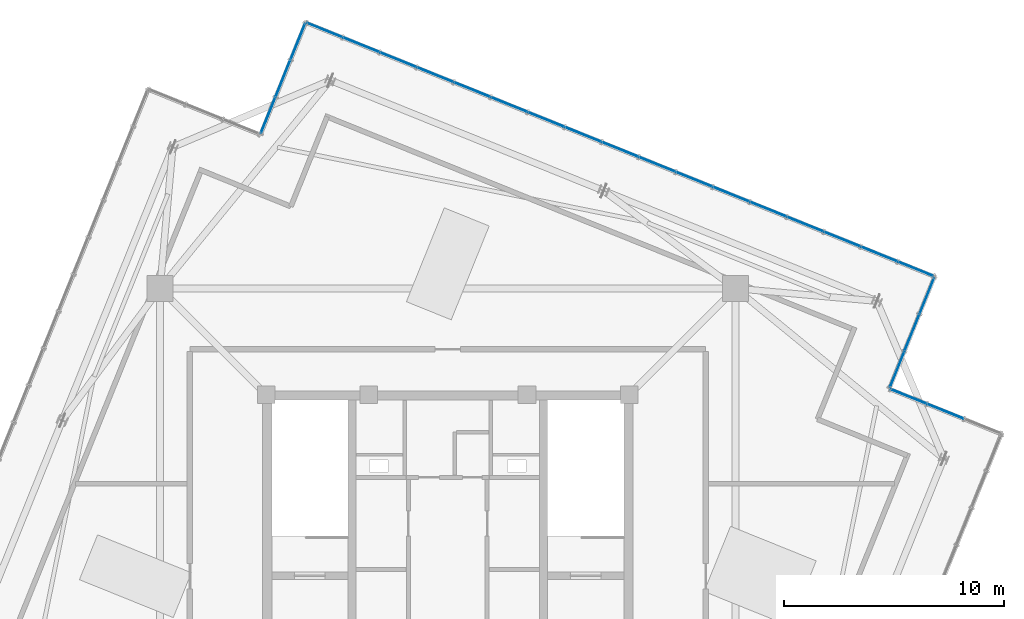
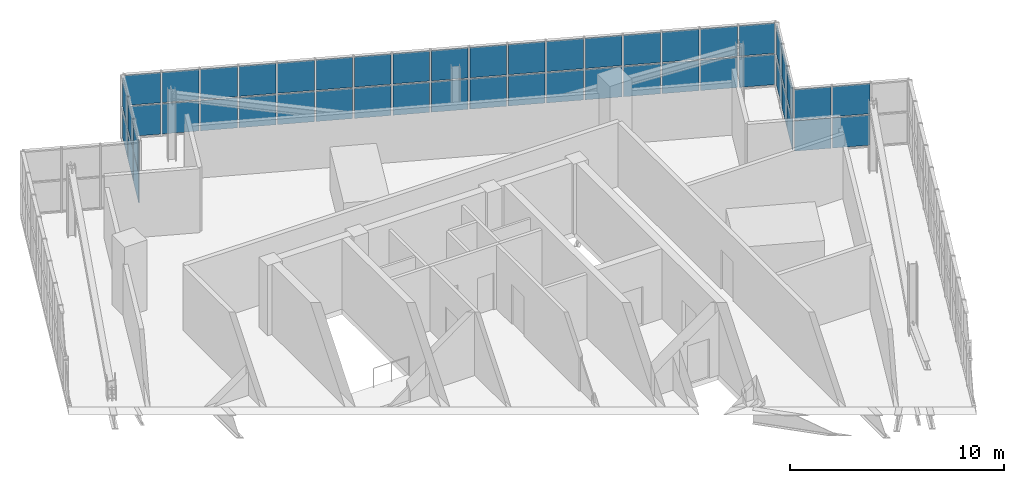
# One storey, part 20 of 26: 50 plates, 4 elements without a shape of their own.
"""IFC4 building model written with IfcOpenShell, lengths in metres."""

from ifc_helpers import new_model, si_unit, direction, frame, origin, origin_2d, place, context, subcontext, project, spatial, rectangle, extrude, source, transform, mapped, material, layer, layer_set, type_object, element, aggregate, save


model = new_model("IFC4")

# Units and contexts
model_context = context("Model", 3, precision=1e-05, world=origin(), true_north=direction((0.0, 1.0)))
body_context = subcontext(model_context, "Body", "Model", "MODEL_VIEW")
ifc_project = project(units=[si_unit("LENGTHUNIT", "METRE"), si_unit("AREAUNIT", "SQUARE_METRE"), si_unit("VOLUMEUNIT", "CUBIC_METRE"), si_unit("PLANEANGLEUNIT", "RADIAN"), si_unit("MASSUNIT", "GRAM", prefix="KILO"), si_unit("THERMODYNAMICTEMPERATUREUNIT", "KELVIN")], contexts=[model_context])

# Site, building, storey
site_placement = place(None, origin())
site = spatial("IfcSite", under=ifc_project, at=site_placement, CompositionType="ELEMENT")
building_placement = place(site_placement, origin())
building = spatial("IfcBuilding", under=site, at=building_placement, Name="Kosmvard Interchange Tower", CompositionType="ELEMENT")
storey_placement = place(building_placement, frame((0.0, 0.0, 341.60009765625)))
storey = spatial("IfcBuildingStorey", under=building, at=storey_placement, Name="L84", CompositionType="ELEMENT", Elevation=341.60009765625)

# Curtain wall, plates
ifc_material_1 = material(Name="Architectural anodised aluminium", Category="aluminium")
ifc_layer_1 = layer(ifc_material_1, 0.25, Name="Architectural anodised aluminium")
ifc_layer_set_1 = layer_set([ifc_layer_1], Name="Architectural anodised aluminium")
curtain_wall_type = type_object("IfcCurtainWallType", Name="CW-6 Illuminated Crown Lantern Curtain Wall", PredefinedType="NOTDEFINED", material=ifc_layer_set_1)
curtain_wall_1_placement = place(storey_placement, origin())
curtain_wall_1 = element("IfcCurtainWall", 1, at=curtain_wall_1_placement, inside=storey, type_object=curtain_wall_type, Name="L84 Crown Lantern Glazing Face 04", PredefinedType="NOTDEFINED")
ifc_material_2 = material(Name="Laminated acoustic lantern glazing", Category="glass")
ifc_layer_2 = layer(ifc_material_2, 0.035888671875, Name="Laminated acoustic lantern glazing")
ifc_layer_set_2 = layer_set([ifc_layer_2], Name="Laminated acoustic lantern glazing")
plate_type = type_object("IfcPlateType", Name="Lantern Diffused Illuminated Panel 36", PredefinedType="CURTAIN_PANEL", material=ifc_layer_set_2)
shared_shape_1 = source(origin(), body_context, "Body", "SweptSolid", [
    extrude(rectangle(XDim=1.694091796875, YDim=0.035888671875, at=origin_2d()), origin(), (0.0, 0.0, 1.0), 1.719970703125),
])
plate_1_placement = place(storey_placement, frame((21.2744140625, 13.967529296875, 0.06982421875), z_axis=(0.0, 0.0, 1.0), x_axis=(-0.927183858065, 0.374606584758, 0.0)))
plate_1 = element("IfcPlate", 2, at=plate_1_placement, type_object=plate_type, Name="CW-6 panel 1.1", PredefinedType="CURTAIN_PANEL", context=body_context, shape_type="MappedRepresentation", body=[
    mapped(shared_shape_1, transform((0.0, 0.0, 0.0), scale=1.0)),
])
plate_2_placement = place(storey_placement, frame((21.2744140625, 13.967529296875, 1.85986328125), z_axis=(0.0, 0.0, 1.0), x_axis=(-0.927183858065, 0.374606584758, 0.0)))
plate_2 = element("IfcPlate", 3, at=plate_2_placement, type_object=plate_type, Name="CW-6 panel 1.2", PredefinedType="CURTAIN_PANEL", context=body_context, shape_type="MappedRepresentation", body=[
    mapped(shared_shape_1, transform((0.0, 0.0, 0.0), scale=1.0)),
])
plate_3_placement = place(storey_placement, frame((-5.600830078125, 24.825927734375, 0.06982421875), z_axis=(0.0, 0.0, 1.0), x_axis=(-0.927183858065, 0.374606584758, 0.0)))
plate_3 = element("IfcPlate", 4, at=plate_3_placement, type_object=plate_type, Name="CW-6 panel 17.1", PredefinedType="CURTAIN_PANEL", context=body_context, shape_type="MappedRepresentation", body=[
    mapped(shared_shape_1, transform((0.0, 0.0, 0.0), scale=1.0)),
])
plate_4_placement = place(storey_placement, frame((-5.600830078125, 24.825927734375, 1.85986328125), z_axis=(0.0, 0.0, 1.0), x_axis=(-0.927183858065, 0.374606584758, 0.0)))
plate_4 = element("IfcPlate", 5, at=plate_4_placement, type_object=plate_type, Name="CW-6 panel 17.2", PredefinedType="CURTAIN_PANEL", context=body_context, shape_type="MappedRepresentation", body=[
    mapped(shared_shape_1, transform((0.0, 0.0, 0.0), scale=1.0)),
])
shared_shape_2 = source(origin(), body_context, "Body", "SweptSolid", [
    extrude(rectangle(XDim=1.734130859375, YDim=0.035888671875, at=origin_2d()), origin(), (0.0, 0.0, 1.0), 1.719970703125),
])
plate_5_placement = place(storey_placement, frame((19.61083984375, 14.6396484375, 0.06982421875), z_axis=(0.0, 0.0, 1.0), x_axis=(-0.927183858065, 0.374606584758, 0.0)))
plate_5 = element("IfcPlate", 6, at=plate_5_placement, type_object=plate_type, Name="CW-6 panel 2.1", PredefinedType="CURTAIN_PANEL", context=body_context, shape_type="MappedRepresentation", body=[
    mapped(shared_shape_2, transform((0.0, 0.0, 0.0), scale=1.0)),
])
plate_6_placement = place(storey_placement, frame((19.61083984375, 14.6396484375, 1.85986328125), z_axis=(0.0, 0.0, 1.0), x_axis=(-0.927183858065, 0.374606584758, 0.0)))
plate_6 = element("IfcPlate", 7, at=plate_6_placement, type_object=plate_type, Name="CW-6 panel 2.2", PredefinedType="CURTAIN_PANEL", context=body_context, shape_type="MappedRepresentation", body=[
    mapped(shared_shape_2, transform((0.0, 0.0, 0.0), scale=1.0)),
])
plate_7_placement = place(storey_placement, frame((17.928955078125, 15.319091796875, 0.06982421875), z_axis=(0.0, 0.0, 1.0), x_axis=(-0.927183858065, 0.374606584758, 0.0)))
plate_7 = element("IfcPlate", 8, at=plate_7_placement, type_object=plate_type, Name="CW-6 panel 3.1", PredefinedType="CURTAIN_PANEL", context=body_context, shape_type="MappedRepresentation", body=[
    mapped(shared_shape_2, transform((0.0, 0.0, 0.0), scale=1.0)),
])
plate_8_placement = place(storey_placement, frame((17.928955078125, 15.319091796875, 1.85986328125), z_axis=(0.0, 0.0, 1.0), x_axis=(-0.927183858065, 0.374606584758, 0.0)))
plate_8 = element("IfcPlate", 9, at=plate_8_placement, type_object=plate_type, Name="CW-6 panel 3.2", PredefinedType="CURTAIN_PANEL", context=body_context, shape_type="MappedRepresentation", body=[
    mapped(shared_shape_2, transform((0.0, 0.0, 0.0), scale=1.0)),
])
plate_9_placement = place(storey_placement, frame((16.246826171875, 15.998779296875, 0.06982421875), z_axis=(0.0, 0.0, 1.0), x_axis=(-0.927183858065, 0.374606584758, 0.0)))
plate_9 = element("IfcPlate", 10, at=plate_9_placement, type_object=plate_type, Name="CW-6 panel 4.1", PredefinedType="CURTAIN_PANEL", context=body_context, shape_type="MappedRepresentation", body=[
    mapped(shared_shape_2, transform((0.0, 0.0, 0.0), scale=1.0)),
])
plate_10_placement = place(storey_placement, frame((16.246826171875, 15.998779296875, 1.85986328125), z_axis=(0.0, 0.0, 1.0), x_axis=(-0.927183858065, 0.374606584758, 0.0)))
plate_10 = element("IfcPlate", 11, at=plate_10_placement, type_object=plate_type, Name="CW-6 panel 4.2", PredefinedType="CURTAIN_PANEL", context=body_context, shape_type="MappedRepresentation", body=[
    mapped(shared_shape_2, transform((0.0, 0.0, 0.0), scale=1.0)),
])
plate_11_placement = place(storey_placement, frame((14.56494140625, 16.678466796875, 0.06982421875), z_axis=(0.0, 0.0, 1.0), x_axis=(-0.927183858065, 0.374606584758, 0.0)))
plate_11 = element("IfcPlate", 12, at=plate_11_placement, type_object=plate_type, Name="CW-6 panel 5.1", PredefinedType="CURTAIN_PANEL", context=body_context, shape_type="MappedRepresentation", body=[
    mapped(shared_shape_2, transform((0.0, 0.0, 0.0), scale=1.0)),
])
plate_12_placement = place(storey_placement, frame((14.56494140625, 16.678466796875, 1.85986328125), z_axis=(0.0, 0.0, 1.0), x_axis=(-0.927183858065, 0.374606584758, 0.0)))
plate_12 = element("IfcPlate", 13, at=plate_12_placement, type_object=plate_type, Name="CW-6 panel 5.2", PredefinedType="CURTAIN_PANEL", context=body_context, shape_type="MappedRepresentation", body=[
    mapped(shared_shape_2, transform((0.0, 0.0, 0.0), scale=1.0)),
])
plate_13_placement = place(storey_placement, frame((12.8828125, 17.35791015625, 0.06982421875), z_axis=(0.0, 0.0, 1.0), x_axis=(-0.927183858065, 0.374606584758, 0.0)))
plate_13 = element("IfcPlate", 14, at=plate_13_placement, type_object=plate_type, Name="CW-6 panel 6.1", PredefinedType="CURTAIN_PANEL", context=body_context, shape_type="MappedRepresentation", body=[
    mapped(shared_shape_2, transform((0.0, 0.0, 0.0), scale=1.0)),
])
plate_14_placement = place(storey_placement, frame((12.8828125, 17.35791015625, 1.85986328125), z_axis=(0.0, 0.0, 1.0), x_axis=(-0.927183858065, 0.374606584758, 0.0)))
plate_14 = element("IfcPlate", 15, at=plate_14_placement, type_object=plate_type, Name="CW-6 panel 6.2", PredefinedType="CURTAIN_PANEL", context=body_context, shape_type="MappedRepresentation", body=[
    mapped(shared_shape_2, transform((0.0, 0.0, 0.0), scale=1.0)),
])
plate_15_placement = place(storey_placement, frame((11.200927734375, 18.03759765625, 0.06982421875), z_axis=(0.0, 0.0, 1.0), x_axis=(-0.927183858065, 0.374606584758, 0.0)))
plate_15 = element("IfcPlate", 16, at=plate_15_placement, type_object=plate_type, Name="CW-6 panel 7.1", PredefinedType="CURTAIN_PANEL", context=body_context, shape_type="MappedRepresentation", body=[
    mapped(shared_shape_2, transform((0.0, 0.0, 0.0), scale=1.0)),
])
plate_16_placement = place(storey_placement, frame((11.200927734375, 18.03759765625, 1.85986328125), z_axis=(0.0, 0.0, 1.0), x_axis=(-0.927183858065, 0.374606584758, 0.0)))
plate_16 = element("IfcPlate", 17, at=plate_16_placement, type_object=plate_type, Name="CW-6 panel 7.2", PredefinedType="CURTAIN_PANEL", context=body_context, shape_type="MappedRepresentation", body=[
    mapped(shared_shape_2, transform((0.0, 0.0, 0.0), scale=1.0)),
])
plate_17_placement = place(storey_placement, frame((9.518798828125, 18.717041015625, 0.06982421875), z_axis=(0.0, 0.0, 1.0), x_axis=(-0.927183858065, 0.374606584758, 0.0)))
plate_17 = element("IfcPlate", 18, at=plate_17_placement, type_object=plate_type, Name="CW-6 panel 8.1", PredefinedType="CURTAIN_PANEL", context=body_context, shape_type="MappedRepresentation", body=[
    mapped(shared_shape_2, transform((0.0, 0.0, 0.0), scale=1.0)),
])
plate_18_placement = place(storey_placement, frame((9.518798828125, 18.717041015625, 1.85986328125), z_axis=(0.0, 0.0, 1.0), x_axis=(-0.927183858065, 0.374606584758, 0.0)))
plate_18 = element("IfcPlate", 19, at=plate_18_placement, type_object=plate_type, Name="CW-6 panel 8.2", PredefinedType="CURTAIN_PANEL", context=body_context, shape_type="MappedRepresentation", body=[
    mapped(shared_shape_2, transform((0.0, 0.0, 0.0), scale=1.0)),
])
plate_19_placement = place(storey_placement, frame((7.836669921875, 19.396728515625, 0.06982421875), z_axis=(0.0, 0.0, 1.0), x_axis=(-0.927183858065, 0.374606584758, 0.0)))
plate_19 = element("IfcPlate", 20, at=plate_19_placement, type_object=plate_type, Name="CW-6 panel 9.1", PredefinedType="CURTAIN_PANEL", context=body_context, shape_type="MappedRepresentation", body=[
    mapped(shared_shape_2, transform((0.0, 0.0, 0.0), scale=1.0)),
])
plate_20_placement = place(storey_placement, frame((7.836669921875, 19.396728515625, 1.85986328125), z_axis=(0.0, 0.0, 1.0), x_axis=(-0.927183858065, 0.374606584758, 0.0)))
plate_20 = element("IfcPlate", 21, at=plate_20_placement, type_object=plate_type, Name="CW-6 panel 9.2", PredefinedType="CURTAIN_PANEL", context=body_context, shape_type="MappedRepresentation", body=[
    mapped(shared_shape_2, transform((0.0, 0.0, 0.0), scale=1.0)),
])
plate_21_placement = place(storey_placement, frame((6.15478515625, 20.076171875, 0.06982421875), z_axis=(0.0, 0.0, 1.0), x_axis=(-0.927183858065, 0.374606584758, 0.0)))
plate_21 = element("IfcPlate", 22, at=plate_21_placement, type_object=plate_type, Name="CW-6 panel 10.1", PredefinedType="CURTAIN_PANEL", context=body_context, shape_type="MappedRepresentation", body=[
    mapped(shared_shape_2, transform((0.0, 0.0, 0.0), scale=1.0)),
])
plate_22_placement = place(storey_placement, frame((6.15478515625, 20.076171875, 1.85986328125), z_axis=(0.0, 0.0, 1.0), x_axis=(-0.927183858065, 0.374606584758, 0.0)))
plate_22 = element("IfcPlate", 23, at=plate_22_placement, type_object=plate_type, Name="CW-6 panel 10.2", PredefinedType="CURTAIN_PANEL", context=body_context, shape_type="MappedRepresentation", body=[
    mapped(shared_shape_2, transform((0.0, 0.0, 0.0), scale=1.0)),
])
plate_23_placement = place(storey_placement, frame((4.47265625, 20.755859375, 0.06982421875), z_axis=(0.0, 0.0, 1.0), x_axis=(-0.927183858065, 0.374606584758, 0.0)))
plate_23 = element("IfcPlate", 24, at=plate_23_placement, type_object=plate_type, Name="CW-6 panel 11.1", PredefinedType="CURTAIN_PANEL", context=body_context, shape_type="MappedRepresentation", body=[
    mapped(shared_shape_2, transform((0.0, 0.0, 0.0), scale=1.0)),
])
plate_24_placement = place(storey_placement, frame((4.47265625, 20.755859375, 1.85986328125), z_axis=(0.0, 0.0, 1.0), x_axis=(-0.927183858065, 0.374606584758, 0.0)))
plate_24 = element("IfcPlate", 25, at=plate_24_placement, type_object=plate_type, Name="CW-6 panel 11.2", PredefinedType="CURTAIN_PANEL", context=body_context, shape_type="MappedRepresentation", body=[
    mapped(shared_shape_2, transform((0.0, 0.0, 0.0), scale=1.0)),
])
plate_25_placement = place(storey_placement, frame((2.790771484375, 21.435546875, 0.06982421875), z_axis=(0.0, 0.0, 1.0), x_axis=(-0.927183858065, 0.374606584758, 0.0)))
plate_25 = element("IfcPlate", 26, at=plate_25_placement, type_object=plate_type, Name="CW-6 panel 12.1", PredefinedType="CURTAIN_PANEL", context=body_context, shape_type="MappedRepresentation", body=[
    mapped(shared_shape_2, transform((0.0, 0.0, 0.0), scale=1.0)),
])
plate_26_placement = place(storey_placement, frame((2.790771484375, 21.435546875, 1.85986328125), z_axis=(0.0, 0.0, 1.0), x_axis=(-0.927183858065, 0.374606584758, 0.0)))
plate_26 = element("IfcPlate", 27, at=plate_26_placement, type_object=plate_type, Name="CW-6 panel 12.2", PredefinedType="CURTAIN_PANEL", context=body_context, shape_type="MappedRepresentation", body=[
    mapped(shared_shape_2, transform((0.0, 0.0, 0.0), scale=1.0)),
])
plate_27_placement = place(storey_placement, frame((1.108642578125, 22.114990234375, 0.06982421875), z_axis=(0.0, 0.0, 1.0), x_axis=(-0.927183858065, 0.374606584758, 0.0)))
plate_27 = element("IfcPlate", 28, at=plate_27_placement, type_object=plate_type, Name="CW-6 panel 13.1", PredefinedType="CURTAIN_PANEL", context=body_context, shape_type="MappedRepresentation", body=[
    mapped(shared_shape_2, transform((0.0, 0.0, 0.0), scale=1.0)),
])
plate_28_placement = place(storey_placement, frame((1.108642578125, 22.114990234375, 1.85986328125), z_axis=(0.0, 0.0, 1.0), x_axis=(-0.927183858065, 0.374606584758, 0.0)))
plate_28 = element("IfcPlate", 29, at=plate_28_placement, type_object=plate_type, Name="CW-6 panel 13.2", PredefinedType="CURTAIN_PANEL", context=body_context, shape_type="MappedRepresentation", body=[
    mapped(shared_shape_2, transform((0.0, 0.0, 0.0), scale=1.0)),
])
plate_29_placement = place(storey_placement, frame((-0.5732421875, 22.794677734375, 0.06982421875), z_axis=(0.0, 0.0, 1.0), x_axis=(-0.927183858065, 0.374606584758, 0.0)))
plate_29 = element("IfcPlate", 30, at=plate_29_placement, type_object=plate_type, Name="CW-6 panel 14.1", PredefinedType="CURTAIN_PANEL", context=body_context, shape_type="MappedRepresentation", body=[
    mapped(shared_shape_2, transform((0.0, 0.0, 0.0), scale=1.0)),
])
plate_30_placement = place(storey_placement, frame((-0.5732421875, 22.794677734375, 1.85986328125), z_axis=(0.0, 0.0, 1.0), x_axis=(-0.927183858065, 0.374606584758, 0.0)))
plate_30 = element("IfcPlate", 31, at=plate_30_placement, type_object=plate_type, Name="CW-6 panel 14.2", PredefinedType="CURTAIN_PANEL", context=body_context, shape_type="MappedRepresentation", body=[
    mapped(shared_shape_2, transform((0.0, 0.0, 0.0), scale=1.0)),
])
plate_31_placement = place(storey_placement, frame((-2.25537109375, 23.47412109375, 0.06982421875), z_axis=(0.0, 0.0, 1.0), x_axis=(-0.927183858065, 0.374606584758, 0.0)))
plate_31 = element("IfcPlate", 32, at=plate_31_placement, type_object=plate_type, Name="CW-6 panel 15.1", PredefinedType="CURTAIN_PANEL", context=body_context, shape_type="MappedRepresentation", body=[
    mapped(shared_shape_2, transform((0.0, 0.0, 0.0), scale=1.0)),
])
plate_32_placement = place(storey_placement, frame((-2.25537109375, 23.47412109375, 1.85986328125), z_axis=(0.0, 0.0, 1.0), x_axis=(-0.927183858065, 0.374606584758, 0.0)))
plate_32 = element("IfcPlate", 33, at=plate_32_placement, type_object=plate_type, Name="CW-6 panel 15.2", PredefinedType="CURTAIN_PANEL", context=body_context, shape_type="MappedRepresentation", body=[
    mapped(shared_shape_2, transform((0.0, 0.0, 0.0), scale=1.0)),
])
plate_33_placement = place(storey_placement, frame((-3.937255859375, 24.15380859375, 0.06982421875), z_axis=(0.0, 0.0, 1.0), x_axis=(-0.927183858065, 0.374606584758, 0.0)))
plate_33 = element("IfcPlate", 34, at=plate_33_placement, type_object=plate_type, Name="CW-6 panel 16.1", PredefinedType="CURTAIN_PANEL", context=body_context, shape_type="MappedRepresentation", body=[
    mapped(shared_shape_2, transform((0.0, 0.0, 0.0), scale=1.0)),
])
plate_34_placement = place(storey_placement, frame((-3.937255859375, 24.15380859375, 1.85986328125), z_axis=(0.0, 0.0, 1.0), x_axis=(-0.927183858065, 0.374606584758, 0.0)))
plate_34 = element("IfcPlate", 35, at=plate_34_placement, type_object=plate_type, Name="CW-6 panel 16.2", PredefinedType="CURTAIN_PANEL", context=body_context, shape_type="MappedRepresentation", body=[
    mapped(shared_shape_2, transform((0.0, 0.0, 0.0), scale=1.0)),
])
aggregate(curtain_wall_1, [plate_1, plate_2, plate_5, plate_6, plate_7, plate_8, plate_9, plate_10, plate_11, plate_12, plate_13, plate_14, plate_15, plate_16, plate_17, plate_18, plate_19, plate_20, plate_21, plate_22, plate_23, plate_24, plate_25, plate_26, plate_27, plate_28, plate_29, plate_30, plate_31, plate_32, plate_33, plate_34, plate_3, plate_4])

curtain_wall_2_placement = place(storey_placement, origin())
curtain_wall_2 = element("IfcCurtainWall", 36, at=curtain_wall_2_placement, inside=storey, type_object=curtain_wall_type, Name="L84 Crown Lantern Glazing Face 02", PredefinedType="NOTDEFINED")
shared_shape_3 = source(origin(), body_context, "Body", "SweptSolid", [
    extrude(rectangle(XDim=1.71337890625, YDim=0.035888671875, at=origin_2d()), origin(), (0.0, 0.0, 1.0), 1.719970703125),
])
plate_35_placement = place(storey_placement, frame((20.942138671875, 8.169921875, 0.06982421875), z_axis=(0.0, 0.0, 1.0), x_axis=(-0.92718386612, 0.374606564822, 0.0)))
plate_35 = element("IfcPlate", 37, at=plate_35_placement, type_object=plate_type, Name="CW-6 panel 3.1", PredefinedType="CURTAIN_PANEL", context=body_context, shape_type="MappedRepresentation", body=[
    mapped(shared_shape_3, transform((0.0, 0.0, 0.0), scale=1.0)),
])
plate_36_placement = place(storey_placement, frame((20.942138671875, 8.169921875, 1.85986328125), z_axis=(0.0, 0.0, 1.0), x_axis=(-0.92718386612, 0.374606564822, 0.0)))
plate_36 = element("IfcPlate", 38, at=plate_36_placement, type_object=plate_type, Name="CW-6 panel 3.2", PredefinedType="CURTAIN_PANEL", context=body_context, shape_type="MappedRepresentation", body=[
    mapped(shared_shape_3, transform((0.0, 0.0, 0.0), scale=1.0)),
])

curtain_wall_3_placement = place(storey_placement, origin())
curtain_wall_3 = element("IfcCurtainWall", 39, at=curtain_wall_3_placement, inside=storey, type_object=curtain_wall_type, Name="L84 Crown Lantern Glazing Face 03", PredefinedType="NOTDEFINED")
plate_37_placement = place(storey_placement, frame((20.424560546875, 9.38916015625, 0.06982421875), z_axis=(0.0, 0.0, 1.0), x_axis=(0.374606501678, 0.927183891631, 0.0)))
plate_37 = element("IfcPlate", 40, at=plate_37_placement, type_object=plate_type, Name="CW-6 panel 1.1", PredefinedType="CURTAIN_PANEL", context=body_context, shape_type="MappedRepresentation", body=[
    mapped(shared_shape_3, transform((0.0, 0.0, 0.0), scale=1.0)),
])
plate_38_placement = place(storey_placement, frame((20.424560546875, 9.38916015625, 1.85986328125), z_axis=(0.0, 0.0, 1.0), x_axis=(0.374606501678, 0.927183891631, 0.0)))
plate_38 = element("IfcPlate", 41, at=plate_38_placement, type_object=plate_type, Name="CW-6 panel 1.2", PredefinedType="CURTAIN_PANEL", context=body_context, shape_type="MappedRepresentation", body=[
    mapped(shared_shape_3, transform((0.0, 0.0, 0.0), scale=1.0)),
])
plate_39_placement = place(storey_placement, frame((21.782958984375, 12.751708984375, 0.06982421875), z_axis=(0.0, 0.0, 1.0), x_axis=(0.374606501678, 0.927183891631, 0.0)))
plate_39 = element("IfcPlate", 42, at=plate_39_placement, type_object=plate_type, Name="CW-6 panel 3.1", PredefinedType="CURTAIN_PANEL", context=body_context, shape_type="MappedRepresentation", body=[
    mapped(shared_shape_3, transform((0.0, 0.0, 0.0), scale=1.0)),
])
plate_40_placement = place(storey_placement, frame((21.782958984375, 12.751708984375, 1.85986328125), z_axis=(0.0, 0.0, 1.0), x_axis=(0.374606501678, 0.927183891631, 0.0)))
plate_40 = element("IfcPlate", 43, at=plate_40_placement, type_object=plate_type, Name="CW-6 panel 3.2", PredefinedType="CURTAIN_PANEL", context=body_context, shape_type="MappedRepresentation", body=[
    mapped(shared_shape_3, transform((0.0, 0.0, 0.0), scale=1.0)),
])

curtain_wall_4_placement = place(storey_placement, origin())
curtain_wall_4 = element("IfcCurtainWall", 44, at=curtain_wall_4_placement, inside=storey, type_object=curtain_wall_type, Name="L84 Crown Lantern Glazing Face 05", PredefinedType="NOTDEFINED")
plate_41_placement = place(storey_placement, frame((-6.811279296875, 24.3046875, 0.06982421875), z_axis=(0.0, 0.0, 1.0), x_axis=(-0.374606564822, -0.92718386612, 0.0)))
plate_41 = element("IfcPlate", 45, at=plate_41_placement, type_object=plate_type, Name="CW-6 panel 1.1", PredefinedType="CURTAIN_PANEL", context=body_context, shape_type="MappedRepresentation", body=[
    mapped(shared_shape_3, transform((0.0, 0.0, 0.0), scale=1.0)),
])
plate_42_placement = place(storey_placement, frame((-6.811279296875, 24.3046875, 1.85986328125), z_axis=(0.0, 0.0, 1.0), x_axis=(-0.374606564822, -0.92718386612, 0.0)))
plate_42 = element("IfcPlate", 46, at=plate_42_placement, type_object=plate_type, Name="CW-6 panel 1.2", PredefinedType="CURTAIN_PANEL", context=body_context, shape_type="MappedRepresentation", body=[
    mapped(shared_shape_3, transform((0.0, 0.0, 0.0), scale=1.0)),
])
plate_43_placement = place(storey_placement, frame((-8.169921875, 20.942138671875, 0.06982421875), z_axis=(0.0, 0.0, 1.0), x_axis=(-0.374606564822, -0.92718386612, 0.0)))
plate_43 = element("IfcPlate", 47, at=plate_43_placement, type_object=plate_type, Name="CW-6 panel 3.1", PredefinedType="CURTAIN_PANEL", context=body_context, shape_type="MappedRepresentation", body=[
    mapped(shared_shape_3, transform((0.0, 0.0, 0.0), scale=1.0)),
])
plate_44_placement = place(storey_placement, frame((-8.169921875, 20.942138671875, 1.85986328125), z_axis=(0.0, 0.0, 1.0), x_axis=(-0.374606564822, -0.92718386612, 0.0)))
plate_44 = element("IfcPlate", 48, at=plate_44_placement, type_object=plate_type, Name="CW-6 panel 3.2", PredefinedType="CURTAIN_PANEL", context=body_context, shape_type="MappedRepresentation", body=[
    mapped(shared_shape_3, transform((0.0, 0.0, 0.0), scale=1.0)),
])

# Plate
shared_shape_4 = source(origin(), body_context, "Body", "SweptSolid", [
    extrude(rectangle(XDim=1.75341796875, YDim=0.035888671875, at=origin_2d()), origin(), (0.0, 0.0, 1.0), 1.719970703125),
])
plate_45_placement = place(storey_placement, frame((22.623291015625, 7.490478515625, 0.06982421875), z_axis=(0.0, 0.0, 1.0), x_axis=(-0.92718386612, 0.374606564822, 0.0)))
plate_45 = element("IfcPlate", 49, at=plate_45_placement, type_object=plate_type, Name="CW-6 panel 2.1", PredefinedType="CURTAIN_PANEL", context=body_context, shape_type="MappedRepresentation", body=[
    mapped(shared_shape_4, transform((0.0, 0.0, 0.0), scale=1.0)),
])

plate_46_placement = place(storey_placement, frame((22.623291015625, 7.490478515625, 1.85986328125), z_axis=(0.0, 0.0, 1.0), x_axis=(-0.92718386612, 0.374606564822, 0.0)))
plate_46 = element("IfcPlate", 50, at=plate_46_placement, type_object=plate_type, Name="CW-6 panel 2.2", PredefinedType="CURTAIN_PANEL", context=body_context, shape_type="MappedRepresentation", body=[
    mapped(shared_shape_4, transform((0.0, 0.0, 0.0), scale=1.0)),
])

aggregate(curtain_wall_2, [plate_45, plate_46, plate_35, plate_36])

plate_47_placement = place(storey_placement, frame((21.103759765625, 11.070556640625, 0.06982421875), z_axis=(0.0, 0.0, 1.0), x_axis=(0.374606501678, 0.927183891631, 0.0)))
plate_47 = element("IfcPlate", 51, at=plate_47_placement, type_object=plate_type, Name="CW-6 panel 2.1", PredefinedType="CURTAIN_PANEL", context=body_context, shape_type="MappedRepresentation", body=[
    mapped(shared_shape_4, transform((0.0, 0.0, 0.0), scale=1.0)),
])

plate_48_placement = place(storey_placement, frame((21.103759765625, 11.070556640625, 1.85986328125), z_axis=(0.0, 0.0, 1.0), x_axis=(0.374606501678, 0.927183891631, 0.0)))
plate_48 = element("IfcPlate", 52, at=plate_48_placement, type_object=plate_type, Name="CW-6 panel 2.2", PredefinedType="CURTAIN_PANEL", context=body_context, shape_type="MappedRepresentation", body=[
    mapped(shared_shape_4, transform((0.0, 0.0, 0.0), scale=1.0)),
])

aggregate(curtain_wall_3, [plate_37, plate_38, plate_47, plate_48, plate_39, plate_40])

plate_49_placement = place(storey_placement, frame((-7.490478515625, 22.623291015625, 0.06982421875), z_axis=(0.0, 0.0, 1.0), x_axis=(-0.374606564822, -0.92718386612, 0.0)))
plate_49 = element("IfcPlate", 53, at=plate_49_placement, type_object=plate_type, Name="CW-6 panel 2.1", PredefinedType="CURTAIN_PANEL", context=body_context, shape_type="MappedRepresentation", body=[
    mapped(shared_shape_4, transform((0.0, 0.0, 0.0), scale=1.0)),
])

plate_50_placement = place(storey_placement, frame((-7.490478515625, 22.623291015625, 1.85986328125), z_axis=(0.0, 0.0, 1.0), x_axis=(-0.374606564822, -0.92718386612, 0.0)))
plate_50 = element("IfcPlate", 54, at=plate_50_placement, type_object=plate_type, Name="CW-6 panel 2.2", PredefinedType="CURTAIN_PANEL", context=body_context, shape_type="MappedRepresentation", body=[
    mapped(shared_shape_4, transform((0.0, 0.0, 0.0), scale=1.0)),
])

aggregate(curtain_wall_4, [plate_41, plate_42, plate_49, plate_50, plate_43, plate_44])

save(model, "model.ifc")
